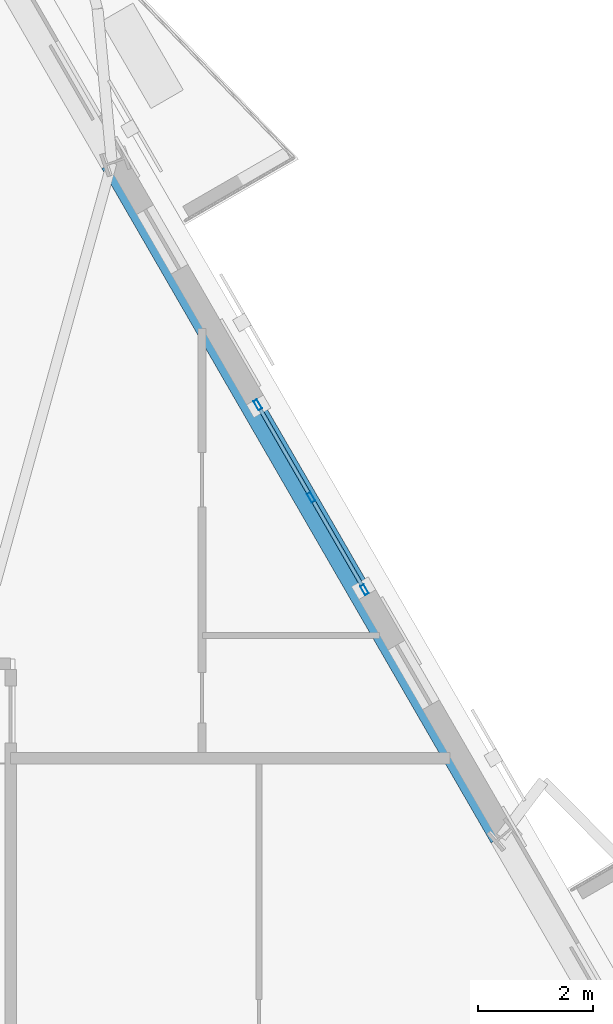
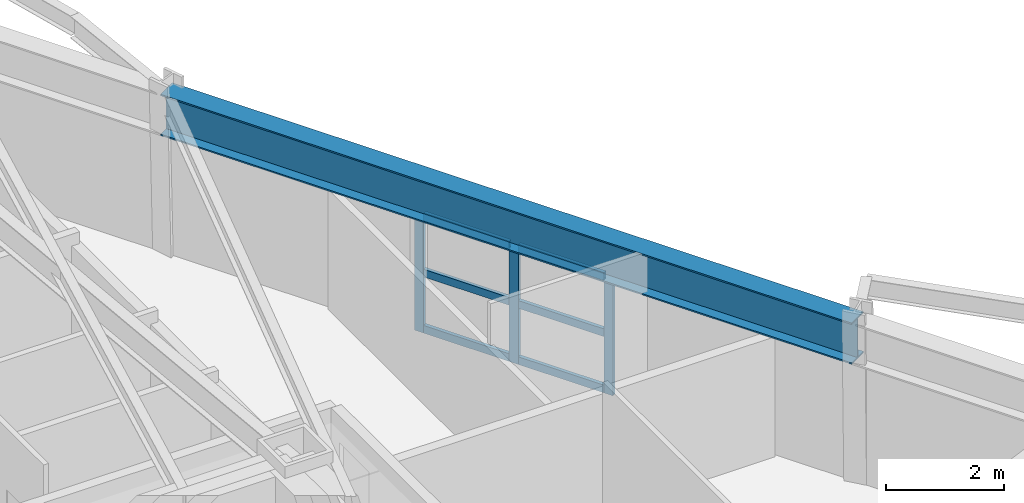
# One storey, part 7 of 17: 9 members, 1 beam, 1 element without a shape of its own.
"""IFC4 building model written with IfcOpenShell, lengths in metres."""

import ifcopenshell
import ifcopenshell.guid

model = None  # the IFC model being written
_history = None  # IfcOwnerHistory: only IFC2X3 demands one
_inside = {}  # id of a spatial element -> (the spatial element, [elements in it])
_under = {}  # id of a project, library or spatial element -> (it, [spatial elements below it])
_declared = {}  # id of a project -> (the project, [libraries it declares])
_typed = {}  # id of a type object -> (the type object, [elements of that type])
_made_of = {}  # id of a material, layer set ... -> (it, [elements and type objects made of it])


def new_model(schema):
    """Start an empty IFC model of exactly this schema.

    Asked for "IFC4X3", IfcOpenShell would pick the latest addendum, in which some entities
    have other attributes; the version numbers below select the first issue.
    IFC2X3 requires an IfcOwnerHistory on every rooted entity: one is made here for all.
    """
    global model, _history
    if schema == "IFC4X3":
        model = ifcopenshell.file(schema_version=(4, 3, 0, 0))
    else:
        model = ifcopenshell.file(schema=schema)
    _inside.clear()
    _under.clear()
    _declared.clear()
    _typed.clear()
    _made_of.clear()
    _history = None
    if model.schema == "IFC2X3":
        org = make("IfcOrganization", Name="unknown")
        user = make(
            "IfcPersonAndOrganization",
            ThePerson=make("IfcPerson", FamilyName="unknown"),
            TheOrganization=org,
        )
        app = make(
            "IfcApplication",
            ApplicationDeveloper=org,
            Version="unknown",
            ApplicationFullName="unknown",
            ApplicationIdentifier="unknown",
        )
        _history = make(
            "IfcOwnerHistory",
            OwningUser=user,
            OwningApplication=app,
            ChangeAction="ADDED",
            CreationDate=0,
        )
    return model


def make(cls, **values):
    """One entity of the class cls with the attributes given. An attribute that is None is left unset."""
    return model.create_entity(
        cls, **{name: value for name, value in values.items() if value is not None}
    )


def rooted(cls, **values):
    """An entity with a GlobalId (a new one), such as an element, a storey or a relation."""
    return make(cls, GlobalId=ifcopenshell.guid.new(), OwnerHistory=_history, **values)


def si_unit(unit_type, name, prefix=None):
    """IfcSIUnit, for example si_unit("LENGTHUNIT", "METRE", prefix="MILLI")."""
    return make("IfcSIUnit", UnitType=unit_type, Prefix=prefix, Name=name)


def assignment(units):
    """IfcUnitAssignment: the units of a project."""
    return None if units is None else make("IfcUnitAssignment", Units=units)


def point(xyz):
    """IfcCartesianPoint."""
    return None if xyz is None else make("IfcCartesianPoint", Coordinates=xyz)


def direction(xyz):
    """IfcDirection."""
    return None if xyz is None else make("IfcDirection", DirectionRatios=xyz)


def frame(location, z_axis=None, x_axis=None):
    """IfcAxis2Placement3D, a coordinate frame: its origin and axes. An axis left out is left unset."""
    return make(
        "IfcAxis2Placement3D",
        Location=point(location),
        Axis=direction(z_axis),
        RefDirection=direction(x_axis),
    )


def frame_2d(location, x_axis=None):
    """IfcAxis2Placement2D, a coordinate frame in the plane: its origin and x axis."""
    return make(
        "IfcAxis2Placement2D", Location=point(location), RefDirection=direction(x_axis)
    )


def origin():
    """The frame at (0, 0, 0) with its axes left unset."""
    return frame((0.0, 0.0, 0.0))


def origin_2d():
    """The frame at (0, 0) in the plane with its x axis left unset."""
    return frame_2d((0.0, 0.0))


def place(relative_to, where):
    """IfcLocalPlacement: puts the frame where relative to a parent placement (None: the world)."""
    return make(
        "IfcLocalPlacement", PlacementRelTo=relative_to, RelativePlacement=where
    )


def context(
    kind, dimensions, precision=None, world=None, true_north=None, identifier=None
):
    """IfcGeometricRepresentationContext, for example the 3D "Model" context."""
    return make(
        "IfcGeometricRepresentationContext",
        ContextIdentifier=identifier,
        ContextType=kind,
        CoordinateSpaceDimension=dimensions,
        Precision=precision,
        WorldCoordinateSystem=world,
        TrueNorth=true_north,
    )


def subcontext(parent, identifier, kind, view, scale=None):
    """IfcGeometricRepresentationSubContext, for example "Body" below "Model"."""
    return make(
        "IfcGeometricRepresentationSubContext",
        ContextIdentifier=identifier,
        ContextType=kind,
        ParentContext=parent,
        TargetScale=scale,
        TargetView=view,
    )


def project(units=None, contexts=None):
    """IfcProject with its units and contexts."""
    return rooted(
        "IfcProject",
        Name="project",
        RepresentationContexts=contexts,
        UnitsInContext=assignment(units),
    )


def spatial(cls, under=None, at=None, **own):
    """A site, building, storey or space (cls), placed at a placement, below another one or the project."""
    s = rooted(cls, ObjectPlacement=at, **own)
    if under is not None:
        _under.setdefault(under.id(), (under, []))[1].append(s)
    return s


def profile(cls, at=None, kind="AREA", **sizes):
    """A parametric profile (cls). Its sizes go by their IFC names, for example OverallWidth=200.0."""
    return make(cls, ProfileType=kind, Position=at, **sizes)


def hollow_rectangle(**sizes):
    """IfcRectangleHollowProfileDef."""
    return profile("IfcRectangleHollowProfileDef", **sizes)


def i_section(**sizes):
    """IfcIShapeProfileDef."""
    return profile("IfcIShapeProfileDef", **sizes)


def extrude(swept, where, along, depth):
    """IfcExtrudedAreaSolid: the profile swept, set in the frame where, extruded along a direction by depth."""
    return make(
        "IfcExtrudedAreaSolid",
        SweptArea=swept,
        Position=where,
        ExtrudedDirection=direction(along),
        Depth=depth,
    )


def shape(context_of_items, identifier, shape_type, items):
    """IfcShapeRepresentation: the items that make up one representation, for example the "Body"."""
    return make(
        "IfcShapeRepresentation",
        ContextOfItems=context_of_items,
        RepresentationIdentifier=identifier,
        RepresentationType=shape_type,
        Items=items,
    )


def material(Name=None, Category=None):
    """IfcMaterial."""
    return make("IfcMaterial", Name=Name, Category=Category)


def layer(
    of_material, thickness, ventilated=None, Name=None, Category=None, Priority=None
):
    """IfcMaterialLayer: one layer of a wall or slab, of a material (None: an air gap)."""
    return make(
        "IfcMaterialLayer",
        Material=of_material,
        LayerThickness=thickness,
        IsVentilated=ventilated,
        Name=Name,
        Category=Category,
        Priority=Priority,
    )


def layer_set(layers, Name=None):
    """IfcMaterialLayerSet."""
    return make("IfcMaterialLayerSet", MaterialLayers=layers, LayerSetName=Name)


def material_profile(
    of_material, cross_section, Name=None, Category=None, Priority=None
):
    """IfcMaterialProfile: a cross section and its material."""
    return make(
        "IfcMaterialProfile",
        Name=Name,
        Material=of_material,
        Profile=cross_section,
        Priority=Priority,
        Category=Category,
    )


def profile_set(profiles, Name=None, composite=None):
    """IfcMaterialProfileSet."""
    return make(
        "IfcMaterialProfileSet",
        Name=Name,
        MaterialProfiles=profiles,
        CompositeProfile=composite,
    )


def made_of(thing, what):
    """Note that an element or type object is made of a material, layer set ...; save() writes the relation."""
    if what is not None:
        _made_of.setdefault(what.id(), (what, []))[1].append(thing)
    return thing


def type_object(cls, material=None, **own):
    """A type object (cls), such as IfcWallType, which elements share."""
    return made_of(rooted(cls, **own), material)


def element(
    cls,
    number,
    at=None,
    inside=None,
    cuts=None,
    type_object=None,
    material=None,
    context=None,
    identifier="Body",
    shape_type=None,
    held_by="IfcProductDefinitionShape",
    body=None,
    shapes=None,
    **own,
):
    """One element of the class cls, such as IfcWall. Its Tag is "e" and its number.

    at: its placement. inside: the storey or other place that contains it. cuts: it is an
    opening in that element (IfcRelVoidsElement). A single representation is given by context,
    identifier, shape_type and body (its items); several are given by shapes. held_by: the class
    of the entity that holds the representations. save() writes the other relations.
    """
    e = rooted(cls, Tag="e%d" % number, ObjectPlacement=at, **own)
    if body is not None:
        shapes = [shape(context, identifier, shape_type, body)]
    if shapes is not None:
        e.Representation = make(held_by, Representations=shapes)
    if inside is not None:
        _inside.setdefault(inside.id(), (inside, []))[1].append(e)
    if cuts is not None:
        rooted(
            "IfcRelVoidsElement", RelatingBuildingElement=cuts, RelatedOpeningElement=e
        )
    if type_object is not None:
        _typed.setdefault(type_object.id(), (type_object, []))[1].append(e)
    return made_of(e, material)


def aggregate(whole, parts):
    """IfcRelAggregates: a whole, such as a stair, and the parts it consists of."""
    return rooted("IfcRelAggregates", RelatingObject=whole, RelatedObjects=parts)


def save(model, path):
    """Write the relations noted so far, then the file.

    IfcRelAggregates (storeys below a building ...), IfcRelContainedInSpatialStructure (elements
    in a storey), IfcRelDefinesByType, IfcRelAssociatesMaterial and IfcRelDeclares: one each for
    every whole, place, type object, material and project.
    """
    for whole, parts in _under.values():
        aggregate(whole, parts)
    for where, things in _inside.values():
        rooted(
            "IfcRelContainedInSpatialStructure",
            RelatedElements=things,
            RelatingStructure=where,
        )
    for kind, things in _typed.values():
        rooted("IfcRelDefinesByType", RelatedObjects=things, RelatingType=kind)
    for what, things in _made_of.values():
        rooted("IfcRelAssociatesMaterial", RelatedObjects=things, RelatingMaterial=what)
    for by, libraries in _declared.values():
        rooted("IfcRelDeclares", RelatingContext=by, RelatedDefinitions=libraries)
    model.write(path)


model = new_model("IFC4")

# Units and contexts
model_context = context("Model", 3, precision=1e-05, world=origin(), true_north=direction((0.0, 1.0)))
body_context = subcontext(model_context, "Body", "Model", "MODEL_VIEW")
ifc_project = project(units=[si_unit("LENGTHUNIT", "METRE"), si_unit("AREAUNIT", "SQUARE_METRE"), si_unit("VOLUMEUNIT", "CUBIC_METRE"), si_unit("PLANEANGLEUNIT", "RADIAN"), si_unit("MASSUNIT", "GRAM", prefix="KILO")], contexts=[model_context])

# Site, building, storey
site_placement = place(None, origin())
site = spatial("IfcSite", under=ifc_project, at=site_placement, CompositionType="ELEMENT")
building_placement = place(site_placement, origin())
building = spatial("IfcBuilding", under=site, at=building_placement, Name="Oramaril Tower", CompositionType="ELEMENT")
storey_placement = place(building_placement, frame((0.0, 0.0, 70.5)))
storey = spatial("IfcBuildingStorey", under=building, at=storey_placement, Name="L18", CompositionType="ELEMENT", Elevation=70.5)

# Beam
ifc_material_1 = material(Name="Steel ASTM A572 Gr 50", Category="steel")
ifc_material_profile_1 = material_profile(ifc_material_1, i_section(OverallWidth=0.40087890625, OverallDepth=0.85595703125, WebThickness=0.018310546875, FlangeThickness=0.029296875, at=origin_2d()), Name="W33X201")
ifc_profile_set_1 = profile_set([ifc_material_profile_1], Name="Steel ASTM A572 Gr 50")
beam_type = type_object("IfcBeamType", Name="BT-SP1", PredefinedType="SPANDREL", material=ifc_profile_set_1)
beam_placement = place(storey_placement, frame((56.002197265625, 22.944580078125, 2.931884765625), z_axis=(-0.500003711142, 0.866023261145, 0.0), x_axis=(-0.866023261145, -0.500003711142, 0.0)))
element("IfcBeam", 1, at=beam_placement, inside=storey, type_object=beam_type, Name="L18 Perimeter Spandrel 10", PredefinedType="SPANDREL", context=body_context, shape_type="SweptSolid", body=[
    extrude(i_section(OverallWidth=0.40087890625, OverallDepth=0.85595703125, WebThickness=0.018310546875, FlangeThickness=0.029296875, at=origin_2d()), origin(), (0.0, 0.0, 1.0), 13.5751953125),
])

# Curtain wall, members
ifc_material_2 = material(Name="Anodised Aluminium 6063-T6", Category="aluminium")
ifc_layer = layer(ifc_material_2, 0.179931640625)
ifc_layer_set = layer_set([ifc_layer], Name="CWT-SYS3")
curtain_wall_type = type_object("IfcCurtainWallType", Name="CWT-SYS3", PredefinedType="NOTDEFINED", material=ifc_layer_set)
curtain_wall_placement = place(storey_placement, origin())
curtain_wall = element("IfcCurtainWall", 2, at=curtain_wall_placement, inside=storey, type_object=curtain_wall_type, Name="L18 Unitised Curtain Wall CW-3", PredefinedType="NOTDEFINED")
ifc_material_3 = material(Name="Anodised Aluminium 6063-T6", Category="aluminium")
ifc_material_profile_2 = material_profile(ifc_material_3, hollow_rectangle(XDim=0.070068359375, YDim=0.179931640625, WallThickness=0.00390625, at=origin_2d()), Name="CWM180X70")
ifc_profile_set_2 = profile_set([ifc_material_profile_2], Name="Anodised Aluminium 6063-T6")
member_type_1 = type_object("IfcMemberType", Name="MT-CWM2", PredefinedType="MULLION", material=ifc_profile_set_2)
member_1_placement = place(storey_placement, frame((53.61962890625, 27.2587890625, 0.0), z_axis=(0.0, 0.0, 1.0), x_axis=(-0.866025463091, -0.499999897278, 0.0)))
member_1 = element("IfcMember", 3, at=member_1_placement, type_object=member_type_1, Name="CW-3 mullion 1", PredefinedType="MULLION", context=body_context, shape_type="SweptSolid", body=[
    extrude(hollow_rectangle(XDim=0.070068359375, YDim=0.179931640625, WallThickness=0.00390625, at=origin_2d()), origin(), (0.0, 0.0, 1.0), 2.493896484375),
])
member_2_placement = place(storey_placement, frame((52.689697265625, 28.86962890625, 0.0), z_axis=(0.0, 0.0, 1.0), x_axis=(-0.866025463091, -0.499999897278, 0.0)))
member_2 = element("IfcMember", 4, at=member_2_placement, type_object=member_type_1, Name="CW-3 mullion 2", PredefinedType="MULLION", context=body_context, shape_type="SweptSolid", body=[
    extrude(hollow_rectangle(XDim=0.070068359375, YDim=0.179931640625, WallThickness=0.00390625, at=origin_2d()), origin(), (0.0, 0.0, 1.0), 2.493896484375),
])
member_3_placement = place(storey_placement, frame((51.759521484375, 30.48046875, 0.0), z_axis=(0.0, 0.0, 1.0), x_axis=(-0.866025463091, -0.499999897278, 0.0)))
member_3 = element("IfcMember", 5, at=member_3_placement, type_object=member_type_1, Name="CW-3 mullion 3", PredefinedType="MULLION", context=body_context, shape_type="SweptSolid", body=[
    extrude(hollow_rectangle(XDim=0.070068359375, YDim=0.179931640625, WallThickness=0.00390625, at=origin_2d()), origin(), (0.0, 0.0, 1.0), 2.493896484375),
])
ifc_material_4 = material(Name="Anodised Aluminium 6063-T6", Category="aluminium")
ifc_material_profile_3 = material_profile(ifc_material_4, hollow_rectangle(XDim=0.070068359375, YDim=0.159912109375, WallThickness=0.00390625, at=origin_2d()), Name="CWT160X70")
ifc_profile_set_3 = profile_set([ifc_material_profile_3], Name="Anodised Aluminium 6063-T6")
member_type_2 = type_object("IfcMemberType", Name="MT-CWT1", PredefinedType="USERDEFINED", material=ifc_profile_set_3)
member_4_placement = place(storey_placement, frame((53.57470703125, 27.336669921875, 0.080078125), z_axis=(-0.499999171277, 0.866025882247, 0.0), x_axis=(-0.866025882247, -0.499999171277, 0.0)))
member_4 = element("IfcMember", 6, at=member_4_placement, type_object=member_type_2, Name="CW-3 transom 1.1", ObjectType="TRANSOM", PredefinedType="USERDEFINED", context=body_context, shape_type="SweptSolid", body=[
    extrude(hollow_rectangle(XDim=0.070068359375, YDim=0.159912109375, WallThickness=0.00390625, at=origin_2d()), origin(), (0.0, 0.0, 1.0), 1.68017578125),
])
member_5_placement = place(storey_placement, frame((53.57470703125, 27.336669921875, 1.2470703125), z_axis=(-0.499999171277, 0.866025882247, 0.0), x_axis=(-0.866025882247, -0.499999171277, 0.0)))
member_5 = element("IfcMember", 7, at=member_5_placement, type_object=member_type_2, Name="CW-3 transom 1.2", ObjectType="TRANSOM", PredefinedType="USERDEFINED", context=body_context, shape_type="SweptSolid", body=[
    extrude(hollow_rectangle(XDim=0.070068359375, YDim=0.159912109375, WallThickness=0.00390625, at=origin_2d()), origin(), (0.0, 0.0, 1.0), 1.68017578125),
])
member_6_placement = place(storey_placement, frame((53.57470703125, 27.336669921875, 2.4140625), z_axis=(-0.499999171277, 0.866025882247, 0.0), x_axis=(-0.866025882247, -0.499999171277, 0.0)))
member_6 = element("IfcMember", 8, at=member_6_placement, type_object=member_type_2, Name="CW-3 transom 1.3", ObjectType="TRANSOM", PredefinedType="USERDEFINED", context=body_context, shape_type="SweptSolid", body=[
    extrude(hollow_rectangle(XDim=0.070068359375, YDim=0.159912109375, WallThickness=0.00390625, at=origin_2d()), origin(), (0.0, 0.0, 1.0), 1.68017578125),
])
member_7_placement = place(storey_placement, frame((52.64453125, 28.947509765625, 0.080078125), z_axis=(-0.499890179513, 0.866088799389, 0.0), x_axis=(-0.866088799389, -0.499890179513, 0.0)))
member_7 = element("IfcMember", 9, at=member_7_placement, type_object=member_type_2, Name="CW-3 transom 2.1", ObjectType="TRANSOM", PredefinedType="USERDEFINED", context=body_context, shape_type="SweptSolid", body=[
    extrude(hollow_rectangle(XDim=0.070068359375, YDim=0.159912109375, WallThickness=0.00390625, at=origin_2d()), origin(), (0.0, 0.0, 1.0), 1.68017578125),
])
member_8_placement = place(storey_placement, frame((52.64453125, 28.947509765625, 1.2470703125), z_axis=(-0.499890179513, 0.866088799389, 0.0), x_axis=(-0.866088799389, -0.499890179513, 0.0)))
member_8 = element("IfcMember", 10, at=member_8_placement, type_object=member_type_2, Name="CW-3 transom 2.2", ObjectType="TRANSOM", PredefinedType="USERDEFINED", context=body_context, shape_type="SweptSolid", body=[
    extrude(hollow_rectangle(XDim=0.070068359375, YDim=0.159912109375, WallThickness=0.00390625, at=origin_2d()), origin(), (0.0, 0.0, 1.0), 1.68017578125),
])
member_9_placement = place(storey_placement, frame((52.64453125, 28.947509765625, 2.4140625), z_axis=(-0.499890179513, 0.866088799389, 0.0), x_axis=(-0.866088799389, -0.499890179513, 0.0)))
member_9 = element("IfcMember", 11, at=member_9_placement, type_object=member_type_2, Name="CW-3 transom 2.3", ObjectType="TRANSOM", PredefinedType="USERDEFINED", context=body_context, shape_type="SweptSolid", body=[
    extrude(hollow_rectangle(XDim=0.070068359375, YDim=0.159912109375, WallThickness=0.00390625, at=origin_2d()), origin(), (0.0, 0.0, 1.0), 1.68017578125),
])
aggregate(curtain_wall, [member_1, member_2, member_3, member_4, member_5, member_6, member_7, member_8, member_9])

save(model, "model.ifc")
